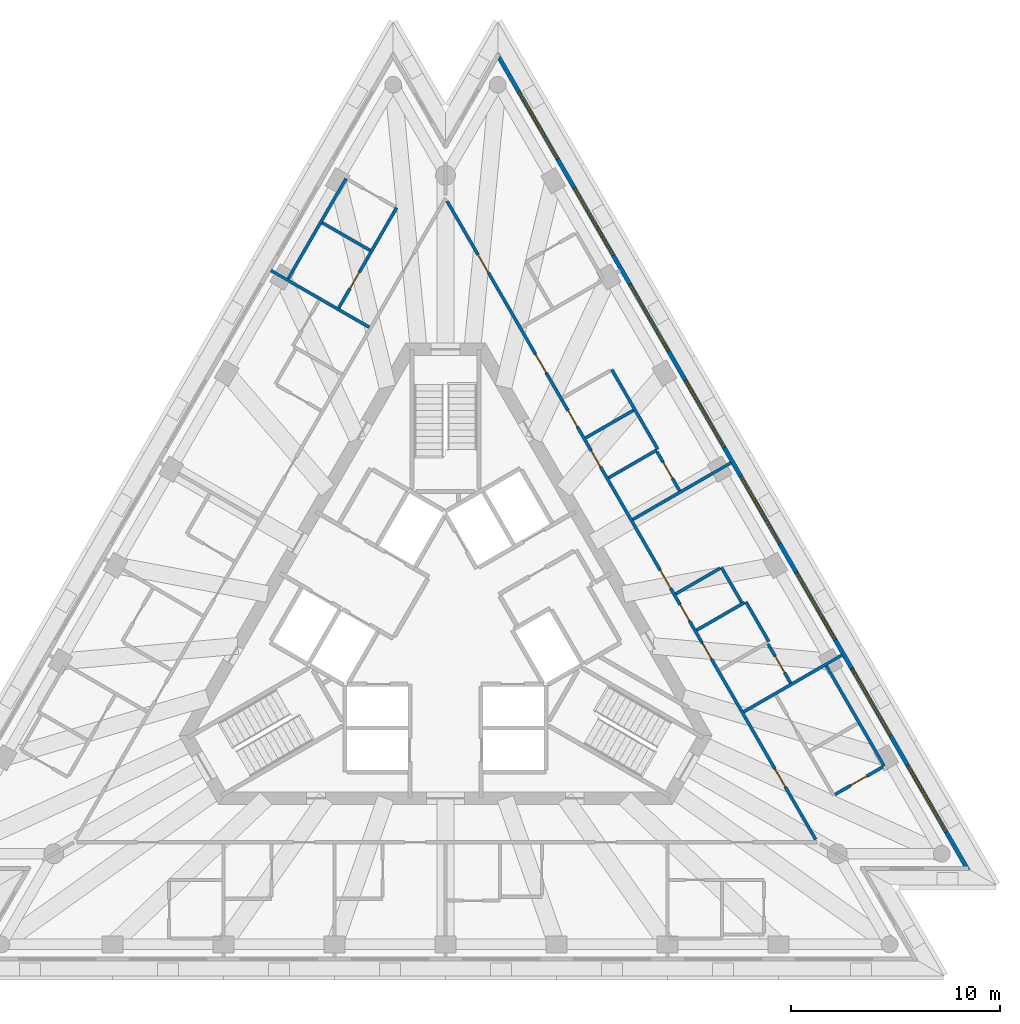
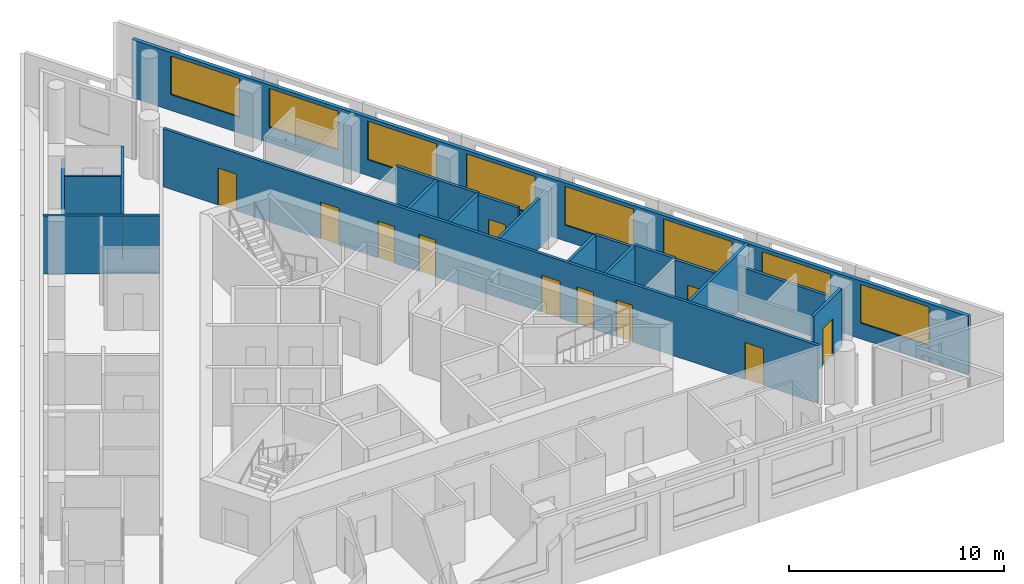
# One storey, part 7 of 11: 19 walls, 12 doors, 8 windows, 20 openings.
"""IFC4 building model written with IfcOpenShell, lengths in metres."""

from ifc_helpers import new_model, si_unit, direction, frame, frame_2d, origin, place, context, subcontext, project, spatial, rectangle, extrude, material, layer, layer_set, layer_usage, type_object, element, fill, save


model = new_model("IFC4")

# Units and contexts
model_context = context("Model", 3, precision=1e-05, world=origin(), true_north=direction((0.0, 1.0)))
body_context = subcontext(model_context, "Body", "Model", "MODEL_VIEW")
ifc_project = project(units=[si_unit("LENGTHUNIT", "METRE"), si_unit("AREAUNIT", "SQUARE_METRE"), si_unit("VOLUMEUNIT", "CUBIC_METRE"), si_unit("PLANEANGLEUNIT", "RADIAN"), si_unit("MASSUNIT", "GRAM", prefix="KILO")], contexts=[model_context])

# Site, building, storey
site_placement = place(None, origin())
site = spatial("IfcSite", under=ifc_project, at=site_placement, CompositionType="ELEMENT")
building_placement = place(site_placement, origin())
building = spatial("IfcBuilding", under=site, at=building_placement, Name="Triada Interchange Tower", CompositionType="ELEMENT")
storey_placement = place(building_placement, frame((0.0, 0.0, 307.89990234375)))
storey = spatial("IfcBuildingStorey", under=building, at=storey_placement, Name="L73", CompositionType="ELEMENT", Elevation=307.89990234375)

# Wall, openings, windows
ifc_material_1 = material(Name="Cement board")
ifc_layer_1 = layer(ifc_material_1, 0.02001953125, Name="Cement board cladding")
ifc_material_2 = material(Name="Sheathing board")
ifc_layer_2 = layer(ifc_material_2, 0.014892578125, Name="Sheathing board")
ifc_material_3 = material(Name="Mineral wool")
ifc_layer_3 = layer(ifc_material_3, 0.14990234375, Name="Mineral wool between steel studs")
ifc_material_4 = material(Name="Gypsum board")
ifc_layer_4 = layer(ifc_material_4, 0.014892578125, Name="Plasterboard lining")
ifc_layer_set_1 = layer_set([ifc_layer_1, ifc_layer_2, ifc_layer_3, ifc_layer_4], Name="External wall 200")
ifc_layer_usage = layer_usage(ifc_layer_set_1, "AXIS2", "POSITIVE", -0.10009765625)
wall_type_1 = type_object("IfcWallType", Name="External wall 200", PredefinedType="ELEMENTEDWALL", material=ifc_layer_set_1)
wall_1_placement = place(storey_placement, frame((24.9599609375, -11.577880859375, 0.0), z_axis=(0.0, 0.0, 1.0), x_axis=(-0.500002391419, 0.866024023094, 0.0)))
wall_1 = element("IfcWall", 1, at=wall_1_placement, inside=storey, type_object=wall_type_1, material=ifc_layer_usage, Name="External wall L73 NE", PredefinedType="ELEMENTEDWALL", context=body_context, shape_type="SweptSolid", body=[
    extrude(rectangle(XDim=44.993896484375, YDim=0.199951171875, at=frame_2d((22.4970703125, 0.0))), origin(), (0.0, 0.0, 1.0), 3.300048828125),
])
opening_1_placement = place(wall_1_placement, frame((2.10302734375, 0.0, 0.89990234375)))
opening_1 = element("IfcOpeningElement", 2, at=opening_1_placement, cuts=wall_1, Name="Opening WD21", PredefinedType="OPENING", context=body_context, shape_type="SweptSolid", body=[
    extrude(rectangle(XDim=3.699951171875, YDim=2.199951171875, at=frame_2d((1.85009765625, 1.10009765625))), frame((0.0, 0.10986328125, 0.0), z_axis=(0.0, -1.0, 0.0), x_axis=(1.0, 0.0, 0.0)), (0.0, 0.0, 1.0), 0.219970703125),
])
opening_2_placement = place(wall_1_placement, frame((7.404052734375, 0.0, 0.89990234375)))
opening_2 = element("IfcOpeningElement", 3, at=opening_2_placement, cuts=wall_1, Name="Opening WD22", PredefinedType="OPENING", context=body_context, shape_type="SweptSolid", body=[
    extrude(rectangle(XDim=3.699951171875, YDim=2.199951171875, at=frame_2d((1.85009765625, 1.10009765625))), frame((0.0, 0.10986328125, 0.0), z_axis=(0.0, -1.0, 0.0), x_axis=(1.0, 0.0, 0.0)), (0.0, 0.0, 1.0), 0.219970703125),
])
opening_3_placement = place(wall_1_placement, frame((12.705078125, 0.0, 0.89990234375)))
opening_3 = element("IfcOpeningElement", 4, at=opening_3_placement, cuts=wall_1, Name="Opening WD23", PredefinedType="OPENING", context=body_context, shape_type="SweptSolid", body=[
    extrude(rectangle(XDim=3.699951171875, YDim=2.199951171875, at=frame_2d((1.85009765625, 1.10009765625))), frame((0.0, 0.10986328125, 0.0), z_axis=(0.0, -1.0, 0.0), x_axis=(1.0, 0.0, 0.0)), (0.0, 0.0, 1.0), 0.219970703125),
])
opening_4_placement = place(wall_1_placement, frame((18.006103515625, 0.0, 0.89990234375)))
opening_4 = element("IfcOpeningElement", 5, at=opening_4_placement, cuts=wall_1, Name="Opening WD24", PredefinedType="OPENING", context=body_context, shape_type="SweptSolid", body=[
    extrude(rectangle(XDim=3.699951171875, YDim=2.199951171875, at=frame_2d((1.85009765625, 1.10009765625))), frame((0.0, 0.10986328125, 0.0), z_axis=(0.0, -1.0, 0.0), x_axis=(1.0, 0.0, 0.0)), (0.0, 0.0, 1.0), 0.219970703125),
])
opening_5_placement = place(wall_1_placement, frame((23.30810546875, 0.0, 0.89990234375)))
opening_5 = element("IfcOpeningElement", 6, at=opening_5_placement, cuts=wall_1, Name="Opening WD25", PredefinedType="OPENING", context=body_context, shape_type="SweptSolid", body=[
    extrude(rectangle(XDim=3.699951171875, YDim=2.199951171875, at=frame_2d((1.85009765625, 1.10009765625))), frame((0.0, 0.10986328125, 0.0), z_axis=(0.0, -1.0, 0.0), x_axis=(1.0, 0.0, 0.0)), (0.0, 0.0, 1.0), 0.219970703125),
])
opening_6_placement = place(wall_1_placement, frame((28.60888671875, 0.0, 0.89990234375)))
opening_6 = element("IfcOpeningElement", 7, at=opening_6_placement, cuts=wall_1, Name="Opening WD26", PredefinedType="OPENING", context=body_context, shape_type="SweptSolid", body=[
    extrude(rectangle(XDim=3.699951171875, YDim=2.199951171875, at=frame_2d((1.85009765625, 1.10009765625))), frame((0.0, 0.10986328125, 0.0), z_axis=(0.0, -1.0, 0.0), x_axis=(1.0, 0.0, 0.0)), (0.0, 0.0, 1.0), 0.219970703125),
])
opening_7_placement = place(wall_1_placement, frame((33.909912109375, 0.0, 0.89990234375)))
opening_7 = element("IfcOpeningElement", 8, at=opening_7_placement, cuts=wall_1, Name="Opening WD27", PredefinedType="OPENING", context=body_context, shape_type="SweptSolid", body=[
    extrude(rectangle(XDim=3.699951171875, YDim=2.199951171875, at=frame_2d((1.85009765625, 1.10009765625))), frame((0.0, 0.10986328125, 0.0), z_axis=(0.0, -1.0, 0.0), x_axis=(1.0, 0.0, 0.0)), (0.0, 0.0, 1.0), 0.219970703125),
])
opening_8_placement = place(wall_1_placement, frame((39.2109375, 0.0, 0.89990234375)))
opening_8 = element("IfcOpeningElement", 9, at=opening_8_placement, cuts=wall_1, Name="Opening WD28", PredefinedType="OPENING", context=body_context, shape_type="SweptSolid", body=[
    extrude(rectangle(XDim=3.699951171875, YDim=2.199951171875, at=frame_2d((1.85009765625, 1.10009765625))), frame((0.0, 0.10986328125, 0.0), z_axis=(0.0, -1.0, 0.0), x_axis=(1.0, 0.0, 0.0)), (0.0, 0.0, 1.0), 0.219970703125),
])
ifc_material_5 = material(Name="Double glazed aluminium window", Category="aluminium")
window_type = type_object("IfcWindowType", Name="Ribbon window D face", PartitioningType="SINGLE_PANEL", PredefinedType="WINDOW", material=ifc_material_5)
window_1_placement = place(opening_1_placement, origin())
window_1 = element("IfcWindow", 10, at=window_1_placement, inside=storey, type_object=window_type, Name="Window L73 NE 1", OverallHeight=2.199951171875, OverallWidth=3.699951171875, PartitioningType="SINGLE_PANEL", PredefinedType="WINDOW", context=body_context, shape_type="SweptSolid", body=[
    extrude(rectangle(XDim=3.699951171875, YDim=2.199951171875, at=frame_2d((1.85009765625, 1.10009765625))), frame((0.0, 0.030029296875, 0.0), z_axis=(0.0, -1.0, 0.0), x_axis=(1.0, 0.0, 0.0)), (0.0, 0.0, 1.0), 0.06005859375),
])
fill(opening_1, window_1)
window_2_placement = place(opening_2_placement, origin())
window_2 = element("IfcWindow", 11, at=window_2_placement, inside=storey, type_object=window_type, Name="Window L73 NE 2", OverallHeight=2.199951171875, OverallWidth=3.699951171875, PartitioningType="SINGLE_PANEL", PredefinedType="WINDOW", context=body_context, shape_type="SweptSolid", body=[
    extrude(rectangle(XDim=3.699951171875, YDim=2.199951171875, at=frame_2d((1.85009765625, 1.10009765625))), frame((0.0, 0.030029296875, 0.0), z_axis=(0.0, -1.0, 0.0), x_axis=(1.0, 0.0, 0.0)), (0.0, 0.0, 1.0), 0.06005859375),
])
fill(opening_2, window_2)
window_3_placement = place(opening_3_placement, origin())
window_3 = element("IfcWindow", 12, at=window_3_placement, inside=storey, type_object=window_type, Name="Window L73 NE 3", OverallHeight=2.199951171875, OverallWidth=3.699951171875, PartitioningType="SINGLE_PANEL", PredefinedType="WINDOW", context=body_context, shape_type="SweptSolid", body=[
    extrude(rectangle(XDim=3.699951171875, YDim=2.199951171875, at=frame_2d((1.85009765625, 1.10009765625))), frame((0.0, 0.030029296875, 0.0), z_axis=(0.0, -1.0, 0.0), x_axis=(1.0, 0.0, 0.0)), (0.0, 0.0, 1.0), 0.06005859375),
])
fill(opening_3, window_3)
window_4_placement = place(opening_4_placement, origin())
window_4 = element("IfcWindow", 13, at=window_4_placement, inside=storey, type_object=window_type, Name="Window L73 NE 4", OverallHeight=2.199951171875, OverallWidth=3.699951171875, PartitioningType="SINGLE_PANEL", PredefinedType="WINDOW", context=body_context, shape_type="SweptSolid", body=[
    extrude(rectangle(XDim=3.699951171875, YDim=2.199951171875, at=frame_2d((1.85009765625, 1.10009765625))), frame((0.0, 0.030029296875, 0.0), z_axis=(0.0, -1.0, 0.0), x_axis=(1.0, 0.0, 0.0)), (0.0, 0.0, 1.0), 0.06005859375),
])
fill(opening_4, window_4)
window_5_placement = place(opening_5_placement, origin())
window_5 = element("IfcWindow", 14, at=window_5_placement, inside=storey, type_object=window_type, Name="Window L73 NE 5", OverallHeight=2.199951171875, OverallWidth=3.699951171875, PartitioningType="SINGLE_PANEL", PredefinedType="WINDOW", context=body_context, shape_type="SweptSolid", body=[
    extrude(rectangle(XDim=3.699951171875, YDim=2.199951171875, at=frame_2d((1.85009765625, 1.10009765625))), frame((0.0, 0.030029296875, 0.0), z_axis=(0.0, -1.0, 0.0), x_axis=(1.0, 0.0, 0.0)), (0.0, 0.0, 1.0), 0.06005859375),
])
fill(opening_5, window_5)
window_6_placement = place(opening_6_placement, origin())
window_6 = element("IfcWindow", 15, at=window_6_placement, inside=storey, type_object=window_type, Name="Window L73 NE 6", OverallHeight=2.199951171875, OverallWidth=3.699951171875, PartitioningType="SINGLE_PANEL", PredefinedType="WINDOW", context=body_context, shape_type="SweptSolid", body=[
    extrude(rectangle(XDim=3.699951171875, YDim=2.199951171875, at=frame_2d((1.85009765625, 1.10009765625))), frame((0.0, 0.030029296875, 0.0), z_axis=(0.0, -1.0, 0.0), x_axis=(1.0, 0.0, 0.0)), (0.0, 0.0, 1.0), 0.06005859375),
])
fill(opening_6, window_6)
window_7_placement = place(opening_7_placement, origin())
window_7 = element("IfcWindow", 16, at=window_7_placement, inside=storey, type_object=window_type, Name="Window L73 NE 7", OverallHeight=2.199951171875, OverallWidth=3.699951171875, PartitioningType="SINGLE_PANEL", PredefinedType="WINDOW", context=body_context, shape_type="SweptSolid", body=[
    extrude(rectangle(XDim=3.699951171875, YDim=2.199951171875, at=frame_2d((1.85009765625, 1.10009765625))), frame((0.0, 0.030029296875, 0.0), z_axis=(0.0, -1.0, 0.0), x_axis=(1.0, 0.0, 0.0)), (0.0, 0.0, 1.0), 0.06005859375),
])
fill(opening_7, window_7)
window_8_placement = place(opening_8_placement, origin())
window_8 = element("IfcWindow", 17, at=window_8_placement, inside=storey, type_object=window_type, Name="Window L73 NE 8", OverallHeight=2.199951171875, OverallWidth=3.699951171875, PartitioningType="SINGLE_PANEL", PredefinedType="WINDOW", context=body_context, shape_type="SweptSolid", body=[
    extrude(rectangle(XDim=3.699951171875, YDim=2.199951171875, at=frame_2d((1.85009765625, 1.10009765625))), frame((0.0, 0.030029296875, 0.0), z_axis=(0.0, -1.0, 0.0), x_axis=(1.0, 0.0, 0.0)), (0.0, 0.0, 1.0), 0.06005859375),
])
fill(opening_8, window_8)

# Walls
ifc_material_6 = material(Name="Gypsum board partition")
ifc_layer_5 = layer(ifc_material_6, 0.14990234375)
ifc_layer_set_2 = layer_set([ifc_layer_5], Name="PARTITION 150 EI 180")
wall_type_2 = type_object("IfcWallType", Name="PARTITION 150 EI 180", PredefinedType="PARTITIONING", material=ifc_layer_set_2)
wall_2_placement = place(storey_placement, frame((8.94189453125, 5.1630859375, 0.0), z_axis=(0.0, 0.0, 1.0), x_axis=(0.866006352826, 0.500032995777, 0.0)))
element("IfcWall", 18, at=wall_2_placement, inside=storey, type_object=wall_type_2, Name="Wall L71 2", PredefinedType="PARTITIONING", context=body_context, shape_type="SweptSolid", body=[
    extrude(rectangle(XDim=5.421630859375, YDim=0.14990234375, at=frame_2d((2.7109375, 0.0))), origin(), (0.0, 0.0, 1.0), 2.800048828125),
])
wall_3_placement = place(storey_placement, frame((-8.3359375, 17.054931640625, 0.0), z_axis=(0.0, 0.0, 1.0), x_axis=(0.865995092734, -0.500052496605, 0.0)))
element("IfcWall", 19, at=wall_3_placement, inside=storey, type_object=wall_type_2, Name="Wall L71 10", PredefinedType="PARTITIONING", context=body_context, shape_type="SweptSolid", body=[
    extrude(rectangle(XDim=5.42138671875, YDim=0.14990234375, at=frame_2d((2.710693359375, 0.0))), origin(), (0.0, 0.0, 1.0), 3.300048828125),
])

# Wall, openings, doors
wall_4_placement = place(storey_placement, frame((0.074951171875, 20.3701171875, 0.0), z_axis=(0.0, 0.0, 1.0), x_axis=(0.500009775255, -0.866019759965, 0.0)))
wall_4 = element("IfcWall", 20, at=wall_4_placement, inside=storey, type_object=wall_type_2, Name="Wall L71 14", PredefinedType="PARTITIONING", context=body_context, shape_type="SweptSolid", body=[
    extrude(rectangle(XDim=35.207275390625, YDim=0.14990234375, at=frame_2d((17.603515625, 0.0))), origin(), (0.0, 0.0, 1.0), 3.300048828125),
])
opening_9_placement = place(wall_4_placement, frame((31.306884765625, 0.0, 0.0)))
opening_9 = element("IfcOpeningElement", 21, at=opening_9_placement, cuts=wall_4, Name="Opening D71-23", PredefinedType="OPENING", context=body_context, shape_type="SweptSolid", body=[
    extrude(rectangle(XDim=1.0, YDim=2.10009765625, at=frame_2d((0.5, 1.050048828125))), frame((0.0, 0.0849609375, 0.0), z_axis=(0.0, -1.0, 0.0), x_axis=(1.0, 0.0, 0.0)), (0.0, 0.0, 1.0), 0.169921875),
])
opening_10_placement = place(wall_4_placement, frame((20.35498046875, 0.0, 0.0)))
opening_10 = element("IfcOpeningElement", 22, at=opening_10_placement, cuts=wall_4, Name="Opening D71-26", PredefinedType="OPENING", context=body_context, shape_type="SweptSolid", body=[
    extrude(rectangle(XDim=1.0, YDim=2.10009765625, at=frame_2d((0.5, 1.050048828125))), frame((0.0, 0.0849609375, 0.0), z_axis=(0.0, -1.0, 0.0), x_axis=(1.0, 0.0, 0.0)), (0.0, 0.0, 1.0), 0.169921875),
])
opening_11_placement = place(wall_4_placement, frame((24.35498046875, 0.0, 0.0)))
opening_11 = element("IfcOpeningElement", 23, at=opening_11_placement, cuts=wall_4, Name="Opening D71-28", PredefinedType="OPENING", context=body_context, shape_type="SweptSolid", body=[
    extrude(rectangle(XDim=0.89990234375, YDim=2.10009765625, at=frame_2d((0.449951171875, 1.050048828125))), frame((0.0, 0.0849609375, 0.0), z_axis=(0.0, -1.0, 0.0), x_axis=(1.0, 0.0, 0.0)), (0.0, 0.0, 1.0), 0.169921875),
])
opening_12_placement = place(wall_4_placement, frame((22.2548828125, 0.0, 0.0)))
opening_12 = element("IfcOpeningElement", 24, at=opening_12_placement, cuts=wall_4, Name="Opening D71-29", PredefinedType="OPENING", context=body_context, shape_type="SweptSolid", body=[
    extrude(rectangle(XDim=0.89990234375, YDim=2.10009765625, at=frame_2d((0.449951171875, 1.050048828125))), frame((0.0, 0.0849609375, 0.0), z_axis=(0.0, -1.0, 0.0), x_axis=(1.0, 0.0, 0.0)), (0.0, 0.0, 1.0), 0.169921875),
])
opening_13_placement = place(wall_4_placement, frame((8.452880859375, 0.0, 0.0)))
opening_13 = element("IfcOpeningElement", 25, at=opening_13_placement, cuts=wall_4, Name="Opening D71-30", PredefinedType="OPENING", context=body_context, shape_type="SweptSolid", body=[
    extrude(rectangle(XDim=1.0, YDim=2.10009765625, at=frame_2d((0.5, 1.050048828125))), frame((0.0, 0.0849609375, 0.0), z_axis=(0.0, -1.0, 0.0), x_axis=(1.0, 0.0, 0.0)), (0.0, 0.0, 1.0), 0.169921875),
])
opening_14_placement = place(wall_4_placement, frame((13.7529296875, 0.0, 0.0)))
opening_14 = element("IfcOpeningElement", 26, at=opening_14_placement, cuts=wall_4, Name="Opening D71-32", PredefinedType="OPENING", context=body_context, shape_type="SweptSolid", body=[
    extrude(rectangle(XDim=0.89990234375, YDim=2.10009765625, at=frame_2d((0.449951171875, 1.050048828125))), frame((0.0, 0.0849609375, 0.0), z_axis=(0.0, -1.0, 0.0), x_axis=(1.0, 0.0, 0.0)), (0.0, 0.0, 1.0), 0.169921875),
])
opening_15_placement = place(wall_4_placement, frame((11.552978515625, 0.0, 0.0)))
opening_15 = element("IfcOpeningElement", 27, at=opening_15_placement, cuts=wall_4, Name="Opening D71-33", PredefinedType="OPENING", context=body_context, shape_type="SweptSolid", body=[
    extrude(rectangle(XDim=0.89990234375, YDim=2.10009765625, at=frame_2d((0.449951171875, 1.050048828125))), frame((0.0, 0.0849609375, 0.0), z_axis=(0.0, -1.0, 0.0), x_axis=(1.0, 0.0, 0.0)), (0.0, 0.0, 1.0), 0.169921875),
])
opening_16_placement = place(wall_4_placement, frame((2.950927734375, 0.0, 0.0)))
opening_16 = element("IfcOpeningElement", 28, at=opening_16_placement, cuts=wall_4, Name="Opening D71-34", PredefinedType="OPENING", context=body_context, shape_type="SweptSolid", body=[
    extrude(rectangle(XDim=1.0, YDim=2.10009765625, at=frame_2d((0.5, 1.050048828125))), frame((0.0, 0.0849609375, 0.0), z_axis=(0.0, -1.0, 0.0), x_axis=(1.0, 0.0, 0.0)), (0.0, 0.0, 1.0), 0.169921875),
])
ifc_material_7 = material(Name="Steel S235 door leaf", Category="steel")
door_type_1 = type_object("IfcDoorType", Name="GUEST ROOM DOOR 1000 EI2 90-C5S200", OperationType="NOTDEFINED", PredefinedType="DOOR", material=ifc_material_7)
door_1_placement = place(opening_9_placement, origin())
door_1 = element("IfcDoor", 29, at=door_1_placement, inside=storey, type_object=door_type_1, Name="Door D71-23 L73", OperationType="SINGLE_SWING_RIGHT", OverallHeight=2.10009765625, OverallWidth=1.0, PredefinedType="DOOR", context=body_context, shape_type="SweptSolid", body=[
    extrude(rectangle(XDim=1.0, YDim=2.10009765625, at=frame_2d((0.5, 1.050048828125))), frame((0.0, 0.02490234375, 0.0), z_axis=(0.0, -1.0, 0.0), x_axis=(1.0, 0.0, 0.0)), (0.0, 0.0, 1.0), 0.050048828125),
])
fill(opening_9, door_1)
door_2_placement = place(opening_10_placement, origin())
door_2 = element("IfcDoor", 30, at=door_2_placement, inside=storey, type_object=door_type_1, Name="Door D71-26 L73", OperationType="SINGLE_SWING_LEFT", OverallHeight=2.10009765625, OverallWidth=1.0, PredefinedType="DOOR", context=body_context, shape_type="SweptSolid", body=[
    extrude(rectangle(XDim=1.0, YDim=2.10009765625, at=frame_2d((0.5, 1.050048828125))), frame((0.0, 0.02490234375, 0.0), z_axis=(0.0, -1.0, 0.0), x_axis=(1.0, 0.0, 0.0)), (0.0, 0.0, 1.0), 0.050048828125),
])
fill(opening_10, door_2)
door_3_placement = place(opening_13_placement, origin())
door_3 = element("IfcDoor", 31, at=door_3_placement, inside=storey, type_object=door_type_1, Name="Door D71-30 L73", OperationType="SINGLE_SWING_LEFT", OverallHeight=2.10009765625, OverallWidth=1.0, PredefinedType="DOOR", context=body_context, shape_type="SweptSolid", body=[
    extrude(rectangle(XDim=1.0, YDim=2.10009765625, at=frame_2d((0.5, 1.050048828125))), frame((0.0, 0.02490234375, 0.0), z_axis=(0.0, -1.0, 0.0), x_axis=(1.0, 0.0, 0.0)), (0.0, 0.0, 1.0), 0.050048828125),
])
fill(opening_13, door_3)
door_4_placement = place(opening_16_placement, origin())
door_4 = element("IfcDoor", 32, at=door_4_placement, inside=storey, type_object=door_type_1, Name="Door D71-34 L73", OperationType="SINGLE_SWING_LEFT", OverallHeight=2.10009765625, OverallWidth=1.0, PredefinedType="DOOR", context=body_context, shape_type="SweptSolid", body=[
    extrude(rectangle(XDim=1.0, YDim=2.10009765625, at=frame_2d((0.5, 1.050048828125))), frame((0.0, 0.02490234375, 0.0), z_axis=(0.0, -1.0, 0.0), x_axis=(1.0, 0.0, 0.0)), (0.0, 0.0, 1.0), 0.050048828125),
])
fill(opening_16, door_4)
door_type_2 = type_object("IfcDoorType", Name="ROOM DOOR 900 EI2 90-C5S200", OperationType="NOTDEFINED", PredefinedType="DOOR", material=ifc_material_7)
door_5_placement = place(opening_12_placement, origin())
door_5 = element("IfcDoor", 33, at=door_5_placement, inside=storey, type_object=door_type_2, Name="Door D71-29 L73", OperationType="SINGLE_SWING_RIGHT", OverallHeight=2.10009765625, OverallWidth=0.89990234375, PredefinedType="DOOR", context=body_context, shape_type="SweptSolid", body=[
    extrude(rectangle(XDim=0.89990234375, YDim=2.10009765625, at=frame_2d((0.449951171875, 1.050048828125))), frame((0.0, 0.02490234375, 0.0), z_axis=(0.0, -1.0, 0.0), x_axis=(1.0, 0.0, 0.0)), (0.0, 0.0, 1.0), 0.050048828125),
])
fill(opening_12, door_5)
door_6_placement = place(opening_15_placement, origin())
door_6 = element("IfcDoor", 34, at=door_6_placement, inside=storey, type_object=door_type_2, Name="Door D71-33 L73", OperationType="SINGLE_SWING_RIGHT", OverallHeight=2.10009765625, OverallWidth=0.89990234375, PredefinedType="DOOR", context=body_context, shape_type="SweptSolid", body=[
    extrude(rectangle(XDim=0.89990234375, YDim=2.10009765625, at=frame_2d((0.449951171875, 1.050048828125))), frame((0.0, 0.02490234375, 0.0), z_axis=(0.0, -1.0, 0.0), x_axis=(1.0, 0.0, 0.0)), (0.0, 0.0, 1.0), 0.050048828125),
])
fill(opening_15, door_6)
door_type_3 = type_object("IfcDoorType", Name="SERVICE DOOR 900 EI2 90-C5S200", OperationType="NOTDEFINED", PredefinedType="DOOR", material=ifc_material_7)
door_7_placement = place(opening_11_placement, origin())
door_7 = element("IfcDoor", 35, at=door_7_placement, inside=storey, type_object=door_type_3, Name="Door D71-28 L73", OperationType="SINGLE_SWING_RIGHT", OverallHeight=2.10009765625, OverallWidth=0.89990234375, PredefinedType="DOOR", context=body_context, shape_type="SweptSolid", body=[
    extrude(rectangle(XDim=0.89990234375, YDim=2.10009765625, at=frame_2d((0.449951171875, 1.050048828125))), frame((0.0, 0.02490234375, 0.0), z_axis=(0.0, -1.0, 0.0), x_axis=(1.0, 0.0, 0.0)), (0.0, 0.0, 1.0), 0.050048828125),
])
fill(opening_11, door_7)
door_8_placement = place(opening_14_placement, origin())
door_8 = element("IfcDoor", 36, at=door_8_placement, inside=storey, type_object=door_type_3, Name="Door D71-32 L73", OperationType="SINGLE_SWING_RIGHT", OverallHeight=2.10009765625, OverallWidth=0.89990234375, PredefinedType="DOOR", context=body_context, shape_type="SweptSolid", body=[
    extrude(rectangle(XDim=0.89990234375, YDim=2.10009765625, at=frame_2d((0.449951171875, 1.050048828125))), frame((0.0, 0.02490234375, 0.0), z_axis=(0.0, -1.0, 0.0), x_axis=(1.0, 0.0, 0.0)), (0.0, 0.0, 1.0), 0.050048828125),
])
fill(opening_14, door_8)

# Walls
wall_5_placement = place(storey_placement, frame((7.94091796875, 12.322021484375, 0.0), z_axis=(0.0, 0.0, 1.0), x_axis=(0.500077893725, -0.86598042715, 0.0)))
element("IfcWall", 37, at=wall_5_placement, inside=storey, type_object=wall_type_2, Name="Wall L71 16", PredefinedType="PARTITIONING", context=body_context, shape_type="SweptSolid", body=[
    extrude(rectangle(XDim=4.399658203125, YDim=0.14990234375, at=frame_2d((2.19970703125, 0.0))), origin(), (0.0, 0.0, 1.0), 3.300048828125),
])
wall_6_placement = place(storey_placement, frame((14.343017578125, 1.235107421875, 0.0), z_axis=(0.0, 0.0, 1.0), x_axis=(0.500077893725, -0.86598042715, 0.0)))
element("IfcWall", 38, at=wall_6_placement, inside=storey, type_object=wall_type_2, Name="Wall L71 17", PredefinedType="PARTITIONING", context=body_context, shape_type="SweptSolid", body=[
    extrude(rectangle(XDim=2.199951171875, YDim=0.14990234375, at=frame_2d((1.10009765625, 0.0))), origin(), (0.0, 0.0, 1.0), 3.300048828125),
])
for number, where, z_axis, x_axis, name in (
    (39, (6.69091796875, 9.06005859375, 0.0), (0.0, 0.0, 1.0), (0.866105468975, 0.499861297372, 0.0), "Wall L71 19"),
    (40, (7.791015625, 7.155029296875, 0.0), (0.0, 0.0, 1.0), (0.866042279195, 0.499970769793, 0.0), "Wall L71 20"),
):
    element("IfcWall", number, at=place(storey_placement, frame(where, z_axis=z_axis, x_axis=x_axis)), inside=storey, type_object=wall_type_2, Name=name, PredefinedType="PARTITIONING", context=body_context, shape_type="SweptSolid", body=[
        extrude(rectangle(XDim=2.638427734375, YDim=0.14990234375, at=frame_2d((1.3193359375, 0.0))), origin(), (0.0, 0.0, 1.0), 3.300048828125),
    ])
wall_7_placement = place(storey_placement, frame((13.178955078125, 2.873046875, 0.0), z_axis=(0.0, 0.0, 1.0), x_axis=(0.500271259635, -0.865868735308, 0.0)))
element("IfcWall", 41, at=wall_7_placement, inside=storey, type_object=wall_type_2, Name="Wall L71 22", PredefinedType="PARTITIONING", context=body_context, shape_type="SweptSolid", body=[
    extrude(rectangle(XDim=1.92529296875, YDim=0.14990234375, at=frame_2d((0.962646484375, 0.0))), origin(), (0.0, 0.0, 1.0), 3.300048828125),
])
wall_8_placement = place(storey_placement, frame((10.992919921875, 1.610107421875, 0.0), z_axis=(0.0, 0.0, 1.0), x_axis=(0.865983065851, 0.500073324283, 0.0)))
element("IfcWall", 42, at=wall_8_placement, inside=storey, type_object=wall_type_2, Name="Wall L71 23", PredefinedType="PARTITIONING", context=body_context, shape_type="SweptSolid", body=[
    extrude(rectangle(XDim=2.449462890625, YDim=0.14990234375, at=frame_2d((1.224609375, 0.0))), origin(), (0.0, 0.0, 1.0), 3.300048828125),
])
wall_9_placement = place(storey_placement, frame((11.992919921875, -0.1220703125, 0.0), z_axis=(0.0, 0.0, 1.0), x_axis=(0.866065407652, 0.499930704866, 0.0)))
element("IfcWall", 43, at=wall_9_placement, inside=storey, type_object=wall_type_2, Name="Wall L71 24", PredefinedType="PARTITIONING", context=body_context, shape_type="SweptSolid", body=[
    extrude(rectangle(XDim=2.638427734375, YDim=0.14990234375, at=frame_2d((1.3193359375, 0.0))), origin(), (0.0, 0.0, 1.0), 3.300048828125),
])
wall_10_placement = place(storey_placement, frame((14.242919921875, -4.01904296875, 0.0), z_axis=(0.0, 0.0, 1.0), x_axis=(0.866006352826, 0.500032995777, 0.0)))
element("IfcWall", 44, at=wall_10_placement, inside=storey, type_object=wall_type_2, Name="Wall L71 26", PredefinedType="PARTITIONING", context=body_context, shape_type="SweptSolid", body=[
    extrude(rectangle(XDim=5.421630859375, YDim=0.14990234375, at=frame_2d((2.7109375, 0.0))), origin(), (0.0, 0.0, 1.0), 3.300048828125),
])

# Wall, opening, door
ifc_layer_6 = layer(ifc_material_6, 0.14990234375)
ifc_layer_set_3 = layer_set([ifc_layer_6], Name="PARTITION 150 EI 90")
wall_type_3 = type_object("IfcWallType", Name="PARTITION 150 EI 90", PredefinedType="PARTITIONING", material=ifc_layer_set_3)
wall_11_placement = place(storey_placement, frame((-5.096923828125, 15.27197265625, 0.0), z_axis=(0.0, 0.0, 1.0), x_axis=(0.499994082372, 0.866028820302, 0.0)))
wall_11 = element("IfcWall", 45, at=wall_11_placement, inside=storey, type_object=wall_type_3, Name="Wall L71 31", PredefinedType="PARTITIONING", context=body_context, shape_type="SweptSolid", body=[
    extrude(rectangle(XDim=5.52392578125, YDim=0.14990234375, at=frame_2d((2.761962890625, 0.0))), origin(), (0.0, 0.0, 1.0), 3.300048828125),
])
opening_17_placement = place(wall_11_placement, frame((1.074951171875, 0.0, 0.0)))
opening_17 = element("IfcOpeningElement", 46, at=opening_17_placement, cuts=wall_11, Name="Opening D71-37", PredefinedType="OPENING", context=body_context, shape_type="SweptSolid", body=[
    extrude(rectangle(XDim=0.89990234375, YDim=2.10009765625, at=frame_2d((0.449951171875, 1.050048828125))), frame((0.0, 0.0849609375, 0.0), z_axis=(0.0, -1.0, 0.0), x_axis=(1.0, 0.0, 0.0)), (0.0, 0.0, 1.0), 0.169921875),
])
door_type_4 = type_object("IfcDoorType", Name="ROOM DOOR 900 EI2 45-C5S200", OperationType="NOTDEFINED", PredefinedType="DOOR", material=ifc_material_7)
door_9_placement = place(opening_17_placement, origin())
door_9 = element("IfcDoor", 47, at=door_9_placement, inside=storey, type_object=door_type_4, Name="Door D71-37 L73", OperationType="SINGLE_SWING_LEFT", OverallHeight=2.10009765625, OverallWidth=0.89990234375, PredefinedType="DOOR", context=body_context, shape_type="SweptSolid", body=[
    extrude(rectangle(XDim=0.89990234375, YDim=2.10009765625, at=frame_2d((0.449951171875, 1.050048828125))), frame((0.0, 0.02490234375, 0.0), z_axis=(0.0, -1.0, 0.0), x_axis=(1.0, 0.0, 0.0)), (0.0, 0.0, 1.0), 0.050048828125),
])
fill(opening_17, door_9)

# Walls
wall_12_placement = place(storey_placement, frame((-7.511962890625, 16.666015625, 0.0), z_axis=(0.0, 0.0, 1.0), x_axis=(0.500050108258, 0.865996471835, 0.0)))
element("IfcWall", 48, at=wall_12_placement, inside=storey, type_object=wall_type_3, Name="Wall L71 33", PredefinedType="PARTITIONING", context=body_context, shape_type="SweptSolid", body=[
    extrude(rectangle(XDim=5.525390625, YDim=0.14990234375, at=frame_2d((2.7626953125, 0.0))), origin(), (0.0, 0.0, 1.0), 2.60009765625),
])
wall_13_placement = place(storey_placement, frame((-5.885009765625, 19.3349609375, 0.0), z_axis=(0.0, 0.0, 1.0), x_axis=(0.865881993967, -0.500248310865, 0.0)))
element("IfcWall", 49, at=wall_13_placement, inside=storey, type_object=wall_type_3, Name="Wall L71 51", PredefinedType="PARTITIONING", context=body_context, shape_type="SweptSolid", body=[
    extrude(rectangle(XDim=2.638916015625, YDim=0.14990234375, at=frame_2d((1.3193359375, 0.0))), origin(), (0.0, 0.0, 1.0), 3.300048828125),
])
wall_14_placement = place(storey_placement, frame((18.18896484375, -1.826904296875, 0.0), z_axis=(0.0, 0.0, 1.0), x_axis=(0.499898410332, -0.866084048662, 0.0)))
element("IfcWall", 50, at=wall_14_placement, inside=storey, type_object=wall_type_3, Name="Wall L71 58", PredefinedType="PARTITIONING", context=body_context, shape_type="SweptSolid", body=[
    extrude(rectangle(XDim=5.525146484375, YDim=0.14990234375, at=frame_2d((2.7626953125, 0.0))), origin(), (0.0, 0.0, 1.0), 2.60009765625),
])

# Wall, opening, door
wall_15_placement = place(storey_placement, frame((10.10205078125, 8.402099609375, 0.0), z_axis=(0.0, 0.0, 1.0), x_axis=(0.499961633463, -0.866047553582, 0.0)))
wall_15 = element("IfcWall", 51, at=wall_15_placement, inside=storey, type_object=wall_type_3, Name="Wall L71 62", PredefinedType="PARTITIONING", context=body_context, shape_type="SweptSolid", body=[
    extrude(rectangle(XDim=2.150146484375, YDim=0.14990234375, at=frame_2d((1.0751953125, 0.0))), origin(), (0.0, 0.0, 1.0), 3.300048828125),
])
opening_18_placement = place(wall_15_placement, frame((0.574951171875, 0.0, 0.0)))
opening_18 = element("IfcOpeningElement", 52, at=opening_18_placement, cuts=wall_15, Name="Opening D71-31", PredefinedType="OPENING", context=body_context, shape_type="SweptSolid", body=[
    extrude(rectangle(XDim=0.89990234375, YDim=2.10009765625, at=frame_2d((0.449951171875, 1.050048828125))), frame((0.0, 0.0849609375, 0.0), z_axis=(0.0, -1.0, 0.0), x_axis=(1.0, 0.0, 0.0)), (0.0, 0.0, 1.0), 0.169921875),
])
door_10_placement = place(opening_18_placement, origin())
door_10 = element("IfcDoor", 53, at=door_10_placement, inside=storey, type_object=door_type_4, Name="Door D71-31 L73", OperationType="SINGLE_SWING_LEFT", OverallHeight=2.10009765625, OverallWidth=0.89990234375, PredefinedType="DOOR", context=body_context, shape_type="SweptSolid", body=[
    extrude(rectangle(XDim=0.89990234375, YDim=2.10009765625, at=frame_2d((0.449951171875, 1.050048828125))), frame((0.0, 0.02490234375, 0.0), z_axis=(0.0, -1.0, 0.0), x_axis=(1.0, 0.0, 0.0)), (0.0, 0.0, 1.0), 0.050048828125),
])
fill(opening_18, door_10)

wall_16_placement = place(storey_placement, frame((15.403076171875, -0.779052734375, 0.0), z_axis=(0.0, 0.0, 1.0), x_axis=(0.499961633463, -0.866047553582, 0.0)))
wall_16 = element("IfcWall", 54, at=wall_16_placement, inside=storey, type_object=wall_type_3, Name="Wall L71 63", PredefinedType="PARTITIONING", context=body_context, shape_type="SweptSolid", body=[
    extrude(rectangle(XDim=2.150146484375, YDim=0.14990234375, at=frame_2d((1.0751953125, 0.0))), origin(), (0.0, 0.0, 1.0), 3.300048828125),
])
opening_19_placement = place(wall_16_placement, frame((0.676025390625, 0.0, 0.0)))
opening_19 = element("IfcOpeningElement", 55, at=opening_19_placement, cuts=wall_16, Name="Opening D71-27", PredefinedType="OPENING", context=body_context, shape_type="SweptSolid", body=[
    extrude(rectangle(XDim=0.89990234375, YDim=2.10009765625, at=frame_2d((0.449951171875, 1.050048828125))), frame((0.0, 0.0849609375, 0.0), z_axis=(0.0, -1.0, 0.0), x_axis=(1.0, 0.0, 0.0)), (0.0, 0.0, 1.0), 0.169921875),
])
door_11_placement = place(opening_19_placement, origin())
door_11 = element("IfcDoor", 56, at=door_11_placement, inside=storey, type_object=door_type_4, Name="Door D71-27 L73", OperationType="SINGLE_SWING_LEFT", OverallHeight=2.10009765625, OverallWidth=0.89990234375, PredefinedType="DOOR", context=body_context, shape_type="SweptSolid", body=[
    extrude(rectangle(XDim=0.89990234375, YDim=2.10009765625, at=frame_2d((0.449951171875, 1.050048828125))), frame((0.0, 0.02490234375, 0.0), z_axis=(0.0, -1.0, 0.0), x_axis=(1.0, 0.0, 0.0)), (0.0, 0.0, 1.0), 0.050048828125),
])
fill(opening_19, door_11)

wall_17_placement = place(storey_placement, frame((18.60107421875, -7.968994140625, 0.0), z_axis=(0.0, 0.0, 1.0), x_axis=(0.865881993967, 0.500248310865, 0.0)))
wall_17 = element("IfcWall", 57, at=wall_17_placement, inside=storey, type_object=wall_type_3, Name="Wall L71 68", PredefinedType="PARTITIONING", context=body_context, shape_type="SweptSolid", body=[
    extrude(rectangle(XDim=2.638916015625, YDim=0.14990234375, at=frame_2d((1.3193359375, 0.0))), origin(), (0.0, 0.0, 1.0), 3.300048828125),
])
opening_20_placement = place(wall_17_placement, frame((0.864013671875, 0.0, 0.0)))
opening_20 = element("IfcOpeningElement", 58, at=opening_20_placement, cuts=wall_17, Name="Opening D71-25", PredefinedType="OPENING", context=body_context, shape_type="SweptSolid", body=[
    extrude(rectangle(XDim=0.89990234375, YDim=2.10009765625, at=frame_2d((0.449951171875, 1.050048828125))), frame((0.0, 0.0849609375, 0.0), z_axis=(0.0, -1.0, 0.0), x_axis=(1.0, 0.0, 0.0)), (0.0, 0.0, 1.0), 0.169921875),
])
door_type_5 = type_object("IfcDoorType", Name="SERVICE DOOR 900 EI2 45-C5S200", OperationType="NOTDEFINED", PredefinedType="DOOR", material=ifc_material_7)
door_12_placement = place(opening_20_placement, origin())
door_12 = element("IfcDoor", 59, at=door_12_placement, inside=storey, type_object=door_type_5, Name="Door D71-25 L73", OperationType="SINGLE_SWING_RIGHT", OverallHeight=2.10009765625, OverallWidth=0.89990234375, PredefinedType="DOOR", context=body_context, shape_type="SweptSolid", body=[
    extrude(rectangle(XDim=0.89990234375, YDim=2.10009765625, at=frame_2d((0.449951171875, 1.050048828125))), frame((0.0, 0.02490234375, 0.0), z_axis=(0.0, -1.0, 0.0), x_axis=(1.0, 0.0, 0.0)), (0.0, 0.0, 1.0), 0.050048828125),
])
fill(opening_20, door_12)

save(model, "model.ifc")
